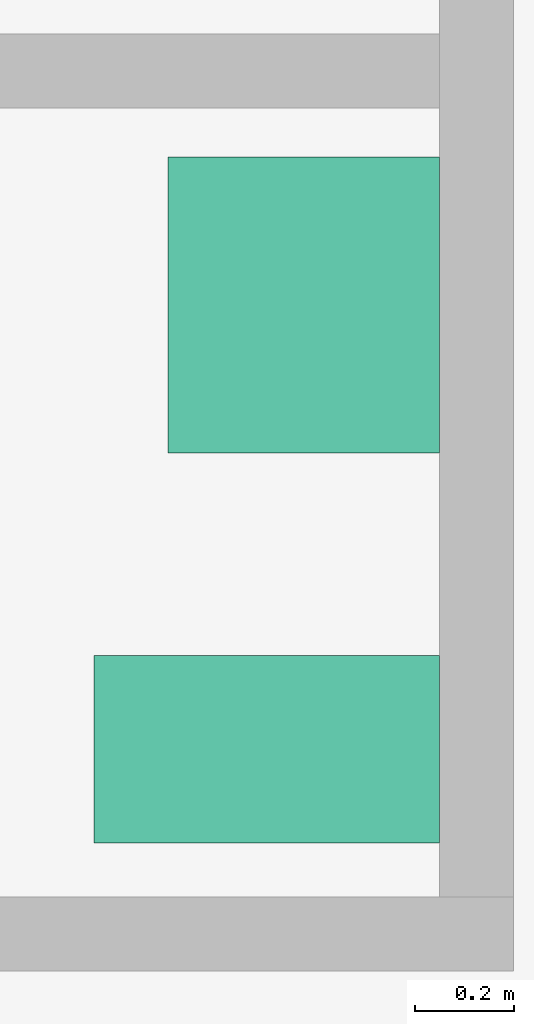
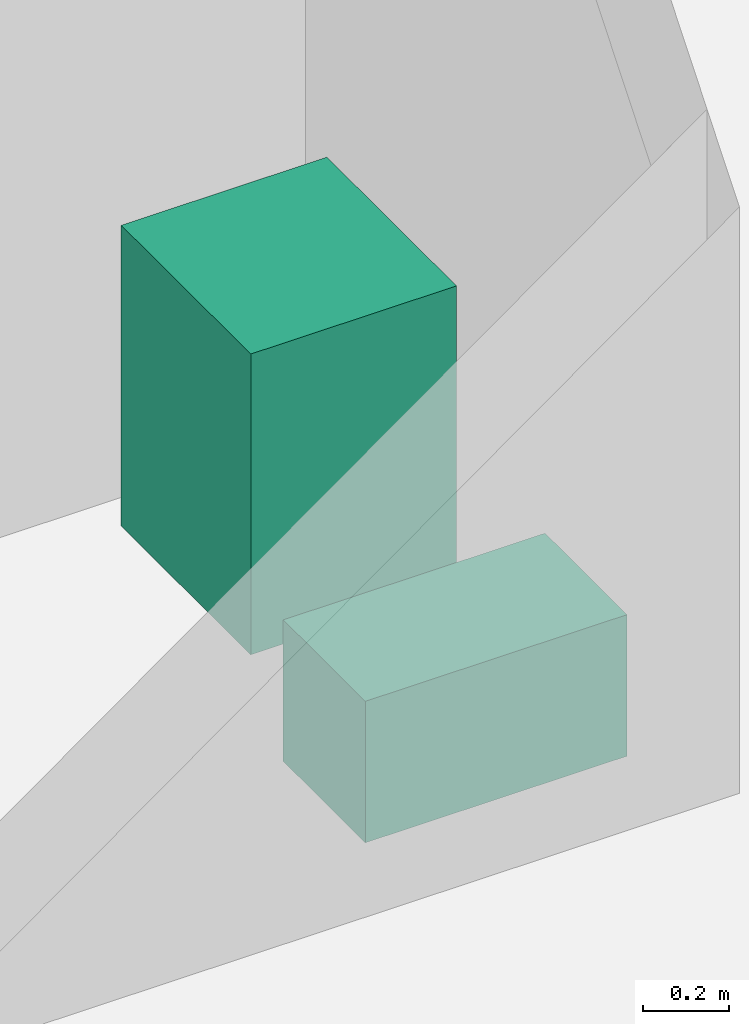
# One storey, part 14 of 14: 2 sanitary terminals.
"""IFC4 building model written with IfcOpenShell, lengths in metres."""

from ifc_helpers import new_model, si_unit, direction, frame, origin, origin_2d, place, context, subcontext, project, spatial, rectangle, extrude, material, element, save


model = new_model("IFC4")

# Units and contexts
model_context = context("Model", 3, precision=1e-05, world=origin(), true_north=direction((0.0, 1.0)))
body_context = subcontext(model_context, "Body", "Model", "MODEL_VIEW")
ifc_project = project(units=[si_unit("LENGTHUNIT", "METRE"), si_unit("AREAUNIT", "SQUARE_METRE"), si_unit("VOLUMEUNIT", "CUBIC_METRE"), si_unit("PLANEANGLEUNIT", "RADIAN"), si_unit("MASSUNIT", "GRAM", prefix="KILO")], contexts=[model_context])

# Site, building, storey
site_placement = place(None, origin())
site = spatial("IfcSite", under=ifc_project, at=site_placement, CompositionType="ELEMENT")
building_placement = place(site_placement, origin())
building = spatial("IfcBuilding", under=site, at=building_placement, Name="Kopane Lantern Tower", CompositionType="ELEMENT")
storey_placement = place(building_placement, frame((0.0, 0.0, 127.199951171875)))
storey = spatial("IfcBuildingStorey", under=building, at=storey_placement, Name="L32", CompositionType="ELEMENT", Elevation=127.199951171875)

# Sanitary terminals
ifc_material = material(Name="Vitreous china")
sanitary_terminal_1_placement = place(storey_placement, frame((34.550048828125, 28.35009765625, 0.0), z_axis=(0.0, 0.0, 1.0), x_axis=(1.0, 0.0, 0.0)))
element("IfcSanitaryTerminal", 1, at=sanitary_terminal_1_placement, inside=storey, material=ifc_material, Name="WC pan L32", PredefinedType="TOILETPAN", context=body_context, shape_type="SweptSolid", body=[
    extrude(rectangle(XDim=0.699951171875, YDim=0.3798828125, at=origin_2d()), origin(), (0.0, 0.0, 1.0), 0.39990234375),
])
sanitary_terminal_2_placement = place(storey_placement, frame((34.625, 29.25, 0.0), z_axis=(0.0, 0.0, 1.0), x_axis=(1.0, 0.0, 0.0)))
element("IfcSanitaryTerminal", 2, at=sanitary_terminal_2_placement, inside=storey, material=ifc_material, Name="Wash basin L32", PredefinedType="WASHHANDBASIN", context=body_context, shape_type="SweptSolid", body=[
    extrude(rectangle(XDim=0.550048828125, YDim=0.60009765625, at=origin_2d()), origin(), (0.0, 0.0, 1.0), 0.85009765625),
])

save(model, "model.ifc")
